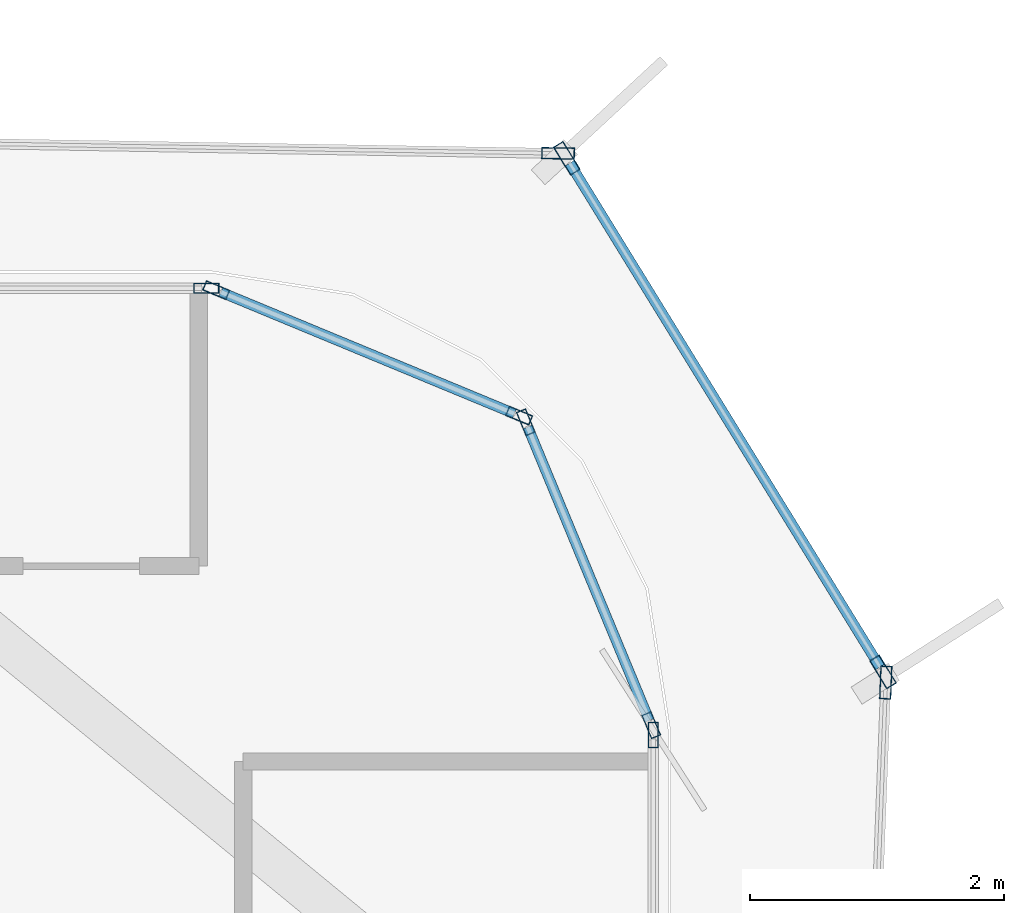
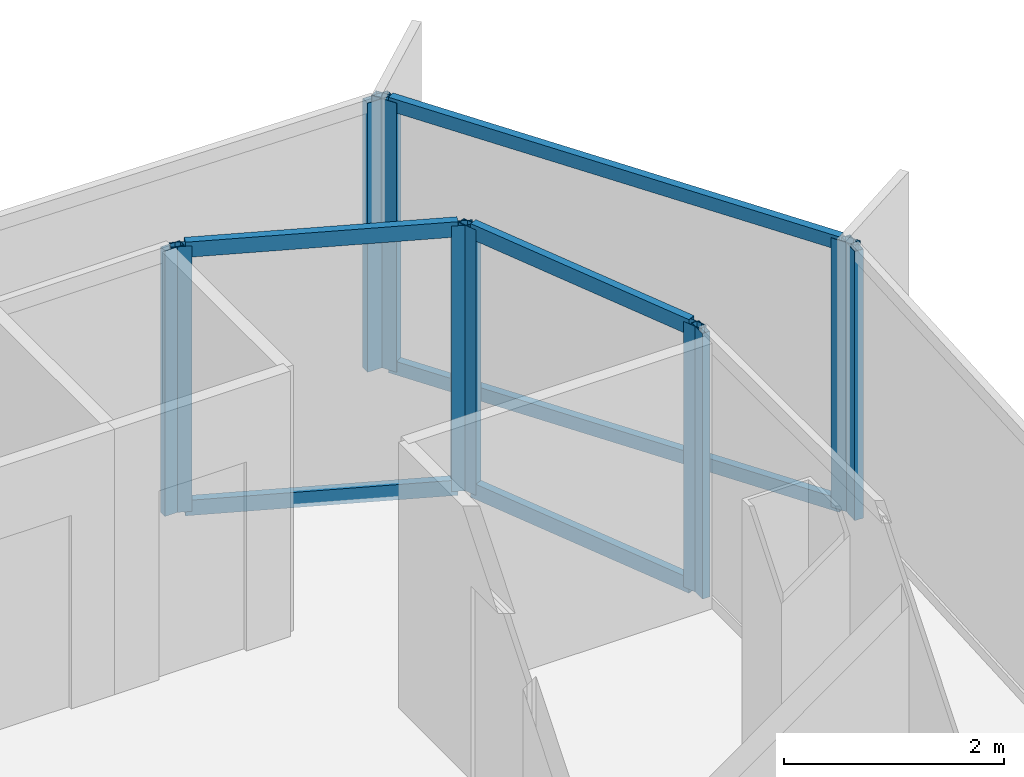
# One storey, part 8 of 15: 16 members, 7 elements without a shape of their own.
"""IFC4 building model written with IfcOpenShell, lengths in metres."""

import ifcopenshell
import ifcopenshell.guid

model = None  # the IFC model being written
_history = None  # IfcOwnerHistory: only IFC2X3 demands one
_inside = {}  # id of a spatial element -> (the spatial element, [elements in it])
_under = {}  # id of a project, library or spatial element -> (it, [spatial elements below it])
_declared = {}  # id of a project -> (the project, [libraries it declares])
_typed = {}  # id of a type object -> (the type object, [elements of that type])
_made_of = {}  # id of a material, layer set ... -> (it, [elements and type objects made of it])


def new_model(schema):
    """Start an empty IFC model of exactly this schema.

    Asked for "IFC4X3", IfcOpenShell would pick the latest addendum, in which some entities
    have other attributes; the version numbers below select the first issue.
    IFC2X3 requires an IfcOwnerHistory on every rooted entity: one is made here for all.
    """
    global model, _history
    if schema == "IFC4X3":
        model = ifcopenshell.file(schema_version=(4, 3, 0, 0))
    else:
        model = ifcopenshell.file(schema=schema)
    _inside.clear()
    _under.clear()
    _declared.clear()
    _typed.clear()
    _made_of.clear()
    _history = None
    if model.schema == "IFC2X3":
        org = make("IfcOrganization", Name="unknown")
        user = make(
            "IfcPersonAndOrganization",
            ThePerson=make("IfcPerson", FamilyName="unknown"),
            TheOrganization=org,
        )
        app = make(
            "IfcApplication",
            ApplicationDeveloper=org,
            Version="unknown",
            ApplicationFullName="unknown",
            ApplicationIdentifier="unknown",
        )
        _history = make(
            "IfcOwnerHistory",
            OwningUser=user,
            OwningApplication=app,
            ChangeAction="ADDED",
            CreationDate=0,
        )
    return model


def make(cls, **values):
    """One entity of the class cls with the attributes given. An attribute that is None is left unset."""
    return model.create_entity(
        cls, **{name: value for name, value in values.items() if value is not None}
    )


def rooted(cls, **values):
    """An entity with a GlobalId (a new one), such as an element, a storey or a relation."""
    return make(cls, GlobalId=ifcopenshell.guid.new(), OwnerHistory=_history, **values)


def si_unit(unit_type, name, prefix=None):
    """IfcSIUnit, for example si_unit("LENGTHUNIT", "METRE", prefix="MILLI")."""
    return make("IfcSIUnit", UnitType=unit_type, Prefix=prefix, Name=name)


def assignment(units):
    """IfcUnitAssignment: the units of a project."""
    return None if units is None else make("IfcUnitAssignment", Units=units)


def point(xyz):
    """IfcCartesianPoint."""
    return None if xyz is None else make("IfcCartesianPoint", Coordinates=xyz)


def direction(xyz):
    """IfcDirection."""
    return None if xyz is None else make("IfcDirection", DirectionRatios=xyz)


def frame(location, z_axis=None, x_axis=None):
    """IfcAxis2Placement3D, a coordinate frame: its origin and axes. An axis left out is left unset."""
    return make(
        "IfcAxis2Placement3D",
        Location=point(location),
        Axis=direction(z_axis),
        RefDirection=direction(x_axis),
    )


def frame_2d(location, x_axis=None):
    """IfcAxis2Placement2D, a coordinate frame in the plane: its origin and x axis."""
    return make(
        "IfcAxis2Placement2D", Location=point(location), RefDirection=direction(x_axis)
    )


def origin():
    """The frame at (0, 0, 0) with its axes left unset."""
    return frame((0.0, 0.0, 0.0))


def origin_2d():
    """The frame at (0, 0) in the plane with its x axis left unset."""
    return frame_2d((0.0, 0.0))


def place(relative_to, where):
    """IfcLocalPlacement: puts the frame where relative to a parent placement (None: the world)."""
    return make(
        "IfcLocalPlacement", PlacementRelTo=relative_to, RelativePlacement=where
    )


def context(
    kind, dimensions, precision=None, world=None, true_north=None, identifier=None
):
    """IfcGeometricRepresentationContext, for example the 3D "Model" context."""
    return make(
        "IfcGeometricRepresentationContext",
        ContextIdentifier=identifier,
        ContextType=kind,
        CoordinateSpaceDimension=dimensions,
        Precision=precision,
        WorldCoordinateSystem=world,
        TrueNorth=true_north,
    )


def subcontext(parent, identifier, kind, view, scale=None):
    """IfcGeometricRepresentationSubContext, for example "Body" below "Model"."""
    return make(
        "IfcGeometricRepresentationSubContext",
        ContextIdentifier=identifier,
        ContextType=kind,
        ParentContext=parent,
        TargetScale=scale,
        TargetView=view,
    )


def project(units=None, contexts=None):
    """IfcProject with its units and contexts."""
    return rooted(
        "IfcProject",
        Name="project",
        RepresentationContexts=contexts,
        UnitsInContext=assignment(units),
    )


def spatial(cls, under=None, at=None, **own):
    """A site, building, storey or space (cls), placed at a placement, below another one or the project."""
    s = rooted(cls, ObjectPlacement=at, **own)
    if under is not None:
        _under.setdefault(under.id(), (under, []))[1].append(s)
    return s


def profile(cls, at=None, kind="AREA", **sizes):
    """A parametric profile (cls). Its sizes go by their IFC names, for example OverallWidth=200.0."""
    return make(cls, ProfileType=kind, Position=at, **sizes)


def hollow_rectangle(**sizes):
    """IfcRectangleHollowProfileDef."""
    return profile("IfcRectangleHollowProfileDef", **sizes)


def extrude(swept, where, along, depth):
    """IfcExtrudedAreaSolid: the profile swept, set in the frame where, extruded along a direction by depth."""
    return make(
        "IfcExtrudedAreaSolid",
        SweptArea=swept,
        Position=where,
        ExtrudedDirection=direction(along),
        Depth=depth,
    )


def shape(context_of_items, identifier, shape_type, items):
    """IfcShapeRepresentation: the items that make up one representation, for example the "Body"."""
    return make(
        "IfcShapeRepresentation",
        ContextOfItems=context_of_items,
        RepresentationIdentifier=identifier,
        RepresentationType=shape_type,
        Items=items,
    )


def source(mapping_origin, context_of_items, identifier, shape_type, items):
    """IfcRepresentationMap: a shape defined once, which mapped items show again and again."""
    return make(
        "IfcRepresentationMap",
        MappingOrigin=mapping_origin,
        MappedRepresentation=shape(context_of_items, identifier, shape_type, items),
    )


def transform(
    local_origin,
    x_axis=None,
    y_axis=None,
    z_axis=None,
    scale=None,
    scale2=None,
    scale3=None,
    uniform=True,
):
    """IfcCartesianTransformationOperator3D, or its non-uniform kind. x_axis, y_axis, z_axis: its Axis1, 2, 3."""
    if uniform:
        return make(
            "IfcCartesianTransformationOperator3D",
            Axis1=direction(x_axis),
            Axis2=direction(y_axis),
            LocalOrigin=point(local_origin),
            Scale=scale,
            Axis3=direction(z_axis),
        )
    return make(
        "IfcCartesianTransformationOperator3DnonUniform",
        Axis1=direction(x_axis),
        Axis2=direction(y_axis),
        LocalOrigin=point(local_origin),
        Scale=scale,
        Axis3=direction(z_axis),
        Scale2=scale2,
        Scale3=scale3,
    )


def mapped(mapping_source, mapping_target):
    """IfcMappedItem: shows the shape of a source again, moved by a transform."""
    return make(
        "IfcMappedItem", MappingSource=mapping_source, MappingTarget=mapping_target
    )


def material(Name=None, Category=None):
    """IfcMaterial."""
    return make("IfcMaterial", Name=Name, Category=Category)


def layer(
    of_material, thickness, ventilated=None, Name=None, Category=None, Priority=None
):
    """IfcMaterialLayer: one layer of a wall or slab, of a material (None: an air gap)."""
    return make(
        "IfcMaterialLayer",
        Material=of_material,
        LayerThickness=thickness,
        IsVentilated=ventilated,
        Name=Name,
        Category=Category,
        Priority=Priority,
    )


def layer_set(layers, Name=None):
    """IfcMaterialLayerSet."""
    return make("IfcMaterialLayerSet", MaterialLayers=layers, LayerSetName=Name)


def material_profile(
    of_material, cross_section, Name=None, Category=None, Priority=None
):
    """IfcMaterialProfile: a cross section and its material."""
    return make(
        "IfcMaterialProfile",
        Name=Name,
        Material=of_material,
        Profile=cross_section,
        Priority=Priority,
        Category=Category,
    )


def profile_set(profiles, Name=None, composite=None):
    """IfcMaterialProfileSet."""
    return make(
        "IfcMaterialProfileSet",
        Name=Name,
        MaterialProfiles=profiles,
        CompositeProfile=composite,
    )


def made_of(thing, what):
    """Note that an element or type object is made of a material, layer set ...; save() writes the relation."""
    if what is not None:
        _made_of.setdefault(what.id(), (what, []))[1].append(thing)
    return thing


def type_object(cls, material=None, **own):
    """A type object (cls), such as IfcWallType, which elements share."""
    return made_of(rooted(cls, **own), material)


def element(
    cls,
    number,
    at=None,
    inside=None,
    cuts=None,
    type_object=None,
    material=None,
    context=None,
    identifier="Body",
    shape_type=None,
    held_by="IfcProductDefinitionShape",
    body=None,
    shapes=None,
    **own,
):
    """One element of the class cls, such as IfcWall. Its Tag is "e" and its number.

    at: its placement. inside: the storey or other place that contains it. cuts: it is an
    opening in that element (IfcRelVoidsElement). A single representation is given by context,
    identifier, shape_type and body (its items); several are given by shapes. held_by: the class
    of the entity that holds the representations. save() writes the other relations.
    """
    e = rooted(cls, Tag="e%d" % number, ObjectPlacement=at, **own)
    if body is not None:
        shapes = [shape(context, identifier, shape_type, body)]
    if shapes is not None:
        e.Representation = make(held_by, Representations=shapes)
    if inside is not None:
        _inside.setdefault(inside.id(), (inside, []))[1].append(e)
    if cuts is not None:
        rooted(
            "IfcRelVoidsElement", RelatingBuildingElement=cuts, RelatedOpeningElement=e
        )
    if type_object is not None:
        _typed.setdefault(type_object.id(), (type_object, []))[1].append(e)
    return made_of(e, material)


def aggregate(whole, parts):
    """IfcRelAggregates: a whole, such as a stair, and the parts it consists of."""
    return rooted("IfcRelAggregates", RelatingObject=whole, RelatedObjects=parts)


def save(model, path):
    """Write the relations noted so far, then the file.

    IfcRelAggregates (storeys below a building ...), IfcRelContainedInSpatialStructure (elements
    in a storey), IfcRelDefinesByType, IfcRelAssociatesMaterial and IfcRelDeclares: one each for
    every whole, place, type object, material and project.
    """
    for whole, parts in _under.values():
        aggregate(whole, parts)
    for where, things in _inside.values():
        rooted(
            "IfcRelContainedInSpatialStructure",
            RelatedElements=things,
            RelatingStructure=where,
        )
    for kind, things in _typed.values():
        rooted("IfcRelDefinesByType", RelatedObjects=things, RelatingType=kind)
    for what, things in _made_of.values():
        rooted("IfcRelAssociatesMaterial", RelatedObjects=things, RelatingMaterial=what)
    for by, libraries in _declared.values():
        rooted("IfcRelDeclares", RelatingContext=by, RelatedDefinitions=libraries)
    model.write(path)


model = new_model("IFC4")

# Units and contexts
model_context = context("Model", 3, precision=1e-05, world=origin(), true_north=direction((0.0, 1.0)))
body_context = subcontext(model_context, "Body", "Model", "MODEL_VIEW")
ifc_project = project(units=[si_unit("LENGTHUNIT", "METRE"), si_unit("AREAUNIT", "SQUARE_METRE"), si_unit("VOLUMEUNIT", "CUBIC_METRE"), si_unit("PLANEANGLEUNIT", "RADIAN"), si_unit("MASSUNIT", "GRAM", prefix="KILO")], contexts=[model_context])

# Site, building, storey
site_placement = place(None, origin())
site = spatial("IfcSite", under=ifc_project, at=site_placement, CompositionType="ELEMENT")
building_placement = place(site_placement, origin())
building = spatial("IfcBuilding", under=site, at=building_placement, Name="Kolveth Station Tower", CompositionType="ELEMENT")
storey_placement = place(building_placement, frame((0.0, 0.0, 172.10009765625)))
storey = spatial("IfcBuildingStorey", under=building, at=storey_placement, Name="L48", CompositionType="ELEMENT", Elevation=172.10009765625)

# Curtain wall, member
ifc_material_1 = material(Name="Aluminium 6063-T6 and low-E dark glass", Category="aluminium")
ifc_layer_1 = layer(ifc_material_1, 0.18994140625)
ifc_layer_set_1 = layer_set([ifc_layer_1], Name="Aluminium 6063-T6 and low-E dark glass")
curtain_wall_type_1 = type_object("IfcCurtainWallType", Name="CurtainWall_CW-Z2", PredefinedType="NOTDEFINED", material=ifc_layer_set_1)
curtain_wall_1_placement = place(storey_placement, origin())
curtain_wall_1 = element("IfcCurtainWall", 1, at=curtain_wall_1_placement, inside=storey, type_object=curtain_wall_type_1, Name="L48 Inner Thermal Curtain Wall 3", PredefinedType="NOTDEFINED")
ifc_material_2 = material(Name="Black anodized aluminium 6063-T6", Category="aluminium")
ifc_material_profile_1 = material_profile(ifc_material_2, hollow_rectangle(XDim=0.080078125, YDim=0.199951171875, WallThickness=0.0048828125, at=origin_2d()), Name="ALU-80x200x5")
ifc_profile_set_1 = profile_set([ifc_material_profile_1], Name="Black anodized aluminium 6063-T6")
member_type_1 = type_object("IfcMemberType", Name="Mullion_ML2", PredefinedType="MULLION", material=ifc_profile_set_1)
shared_shape_1 = source(origin(), body_context, "Body", "SweptSolid", [
    extrude(hollow_rectangle(XDim=0.080078125, YDim=0.199951171875, WallThickness=0.0048828125, at=origin_2d()), origin(), (0.0, 0.0, 1.0), 2.949951171875),
])
member_1_placement = place(storey_placement, frame((41.679931640625, 31.659912109375, 0.0), z_axis=(0.0, 0.0, 1.0), x_axis=(-1.0, 0.0, 0.0)))
member_1 = element("IfcMember", 2, at=member_1_placement, type_object=member_type_1, Name="CW-Z2 mullion 2", PredefinedType="MULLION", context=body_context, shape_type="MappedRepresentation", body=[
    mapped(shared_shape_1, transform((0.0, 0.0, 0.0), x_axis=(1.0, 0.0, 0.0), y_axis=(0.0, 1.0, 0.0), z_axis=(0.0, 0.0, 1.0), scale=1.0)),
])
aggregate(curtain_wall_1, [member_1])

# Curtain wall, members
curtain_wall_2_placement = place(storey_placement, origin())
curtain_wall_2 = element("IfcCurtainWall", 3, at=curtain_wall_2_placement, inside=storey, type_object=curtain_wall_type_1, Name="L48 Inner Thermal Curtain Wall 4", PredefinedType="NOTDEFINED")
member_2_placement = place(storey_placement, frame((41.664794921875, 31.737060546875, 0.0), z_axis=(0.0, 0.0, 1.0), x_axis=(-0.923873600544, -0.382697753087, 0.0)))
member_2 = element("IfcMember", 4, at=member_2_placement, type_object=member_type_1, Name="CW-Z2 mullion 1", PredefinedType="MULLION", context=body_context, shape_type="MappedRepresentation", body=[
    mapped(shared_shape_1, transform((0.0, 0.0, 0.0), x_axis=(1.0, 0.0, 0.0), y_axis=(0.0, 1.0, 0.0), z_axis=(0.0, 0.0, 1.0), scale=1.0)),
])
member_3_placement = place(storey_placement, frame((40.676025390625, 34.123779296875, 0.0), z_axis=(0.0, 0.0, 1.0), x_axis=(-0.923873600544, -0.382697753087, 0.0)))
member_3 = element("IfcMember", 5, at=member_3_placement, type_object=member_type_1, Name="CW-Z2 mullion 2", PredefinedType="MULLION", context=body_context, shape_type="MappedRepresentation", body=[
    mapped(shared_shape_1, transform((0.0, 0.0, 0.0), x_axis=(1.0, 0.0, 0.0), y_axis=(0.0, 1.0, 0.0), z_axis=(0.0, 0.0, 1.0), scale=1.0)),
])

curtain_wall_3_placement = place(storey_placement, origin())
curtain_wall_3 = element("IfcCurtainWall", 6, at=curtain_wall_3_placement, inside=storey, type_object=curtain_wall_type_1, Name="L48 Inner Thermal Curtain Wall 5", PredefinedType="NOTDEFINED")
member_4_placement = place(storey_placement, frame((40.623779296875, 34.176025390625, 0.0), z_axis=(0.0, 0.0, 1.0), x_axis=(-0.382697753087, -0.923873600544, 0.0)))
member_4 = element("IfcMember", 7, at=member_4_placement, type_object=member_type_1, Name="CW-Z2 mullion 1", PredefinedType="MULLION", context=body_context, shape_type="MappedRepresentation", body=[
    mapped(shared_shape_1, transform((0.0, 0.0, 0.0), x_axis=(1.0, 0.0, 0.0), y_axis=(0.0, 1.0, 0.0), z_axis=(0.0, 0.0, 1.0), scale=1.0)),
])
member_5_placement = place(storey_placement, frame((38.237060546875, 35.164794921875, 0.0), z_axis=(0.0, 0.0, 1.0), x_axis=(-0.382697753087, -0.923873600544, 0.0)))
member_5 = element("IfcMember", 8, at=member_5_placement, type_object=member_type_1, Name="CW-Z2 mullion 2", PredefinedType="MULLION", context=body_context, shape_type="MappedRepresentation", body=[
    mapped(shared_shape_1, transform((0.0, 0.0, 0.0), x_axis=(1.0, 0.0, 0.0), y_axis=(0.0, 1.0, 0.0), z_axis=(0.0, 0.0, 1.0), scale=1.0)),
])

# Curtain wall, member
curtain_wall_4_placement = place(storey_placement, origin())
curtain_wall_4 = element("IfcCurtainWall", 9, at=curtain_wall_4_placement, inside=storey, type_object=curtain_wall_type_1, Name="L48 Inner Thermal Curtain Wall 6", PredefinedType="NOTDEFINED")
member_6_placement = place(storey_placement, frame((38.159912109375, 35.179931640625, 0.0), z_axis=(0.0, 0.0, 1.0), x_axis=(0.0, -1.0, 0.0)))
member_6 = element("IfcMember", 10, at=member_6_placement, type_object=member_type_1, Name="CW-Z2 mullion 1", PredefinedType="MULLION", context=body_context, shape_type="MappedRepresentation", body=[
    mapped(shared_shape_1, transform((0.0, 0.0, 0.0), x_axis=(1.0, 0.0, 0.0), y_axis=(0.0, 1.0, 0.0), z_axis=(0.0, 0.0, 1.0), scale=1.0)),
])
aggregate(curtain_wall_4, [member_6])

ifc_material_3 = material(Name="Black anodized aluminium 6063-T6 and dark solar glass", Category="aluminium")
ifc_layer_2 = layer(ifc_material_3, 0.159912109375)
ifc_layer_set_2 = layer_set([ifc_layer_2], Name="Black anodized aluminium 6063-T6 and dark solar glass")
curtain_wall_type_2 = type_object("IfcCurtainWallType", Name="OUTER SKIN CW-OS", PredefinedType="NOTDEFINED", material=ifc_layer_set_2)
curtain_wall_5_placement = place(storey_placement, origin())
curtain_wall_5 = element("IfcCurtainWall", 11, at=curtain_wall_5_placement, inside=storey, type_object=curtain_wall_type_2, Name="L48 Outer Ventilated Skin Curtain Wall 2", PredefinedType="NOTDEFINED")
ifc_material_profile_2 = material_profile(ifc_material_2, hollow_rectangle(XDim=0.090087890625, YDim=0.260009765625, WallThickness=0.0048828125, at=origin_2d()), Name="ALU-90x260x5")
ifc_profile_set_2 = profile_set([ifc_material_profile_2], Name="Black anodized aluminium 6063-T6")
member_type_2 = type_object("IfcMemberType", Name="FIN MULLION ML-OS", PredefinedType="MULLION", material=ifc_profile_set_2)
shared_shape_2 = source(origin(), body_context, "Body", "SweptSolid", [
    extrude(hollow_rectangle(XDim=0.090087890625, YDim=0.260009765625, WallThickness=0.0048828125, at=origin_2d()), origin(), (0.0, 0.0, 1.0), 2.989990234375),
])
member_7_placement = place(storey_placement, frame((43.512451171875, 32.0732421875, 0.0), z_axis=(0.0, 0.0, 1.0), x_axis=(-0.999266559866, 0.038292849638, 0.0)))
member_7 = element("IfcMember", 12, at=member_7_placement, type_object=member_type_2, Name="CW-OS mullion 2", PredefinedType="MULLION", context=body_context, shape_type="MappedRepresentation", body=[
    mapped(shared_shape_2, transform((0.0, 0.0, 0.0), x_axis=(1.0, 0.0, 0.0), y_axis=(0.0, 1.0, 0.0), z_axis=(0.0, 0.0, 1.0), scale=1.0)),
])
aggregate(curtain_wall_5, [member_7])

# Curtain wall, members
curtain_wall_6_placement = place(storey_placement, origin())
curtain_wall_6 = element("IfcCurtainWall", 13, at=curtain_wall_6_placement, inside=storey, type_object=curtain_wall_type_2, Name="L48 Outer Ventilated Skin Curtain Wall 3", PredefinedType="NOTDEFINED")
member_8_placement = place(storey_placement, frame((43.49072265625, 32.15673828125, 0.0), z_axis=(0.0, 0.0, 1.0), x_axis=(-0.851537745343, -0.524293303653, 0.0)))
member_8 = element("IfcMember", 14, at=member_8_placement, type_object=member_type_2, Name="CW-OS mullion 1", PredefinedType="MULLION", context=body_context, shape_type="MappedRepresentation", body=[
    mapped(shared_shape_2, transform((0.0, 0.0, 0.0), x_axis=(1.0, 0.0, 0.0), y_axis=(0.0, 1.0, 0.0), z_axis=(0.0, 0.0, 1.0), scale=1.0)),
])
member_9_placement = place(storey_placement, frame((40.999267578125, 36.203125, 0.0), z_axis=(0.0, 0.0, 1.0), x_axis=(-0.851537745343, -0.524293303653, 0.0)))
member_9 = element("IfcMember", 15, at=member_9_placement, type_object=member_type_2, Name="CW-OS mullion 2", PredefinedType="MULLION", context=body_context, shape_type="MappedRepresentation", body=[
    mapped(shared_shape_2, transform((0.0, 0.0, 0.0), x_axis=(1.0, 0.0, 0.0), y_axis=(0.0, 1.0, 0.0), z_axis=(0.0, 0.0, 1.0), scale=1.0)),
])

# Curtain wall, member
curtain_wall_7_placement = place(storey_placement, origin())
curtain_wall_7 = element("IfcCurtainWall", 16, at=curtain_wall_7_placement, inside=storey, type_object=curtain_wall_type_2, Name="L48 Outer Ventilated Skin Curtain Wall 4", PredefinedType="NOTDEFINED")
member_10_placement = place(storey_placement, frame((40.9306640625, 36.2421875, 0.0), z_axis=(0.0, 0.0, 1.0), x_axis=(-0.016800332197, -0.999858864459, 0.0)))
member_10 = element("IfcMember", 17, at=member_10_placement, type_object=member_type_2, Name="CW-OS mullion 1", PredefinedType="MULLION", context=body_context, shape_type="MappedRepresentation", body=[
    mapped(shared_shape_2, transform((0.0, 0.0, 0.0), x_axis=(1.0, 0.0, 0.0), y_axis=(0.0, 1.0, 0.0), z_axis=(0.0, 0.0, 1.0), scale=1.0)),
])
aggregate(curtain_wall_7, [member_10])

# Member
ifc_material_profile_3 = material_profile(ifc_material_2, hollow_rectangle(XDim=0.080078125, YDim=0.169921875, WallThickness=0.0048828125, at=origin_2d()), Name="ALU-80x170x5")
ifc_profile_set_3 = profile_set([ifc_material_profile_3], Name="Black anodized aluminium 6063-T6")
member_type_3 = type_object("IfcMemberType", Name="Transom_TR2", PredefinedType="USERDEFINED", material=ifc_profile_set_3)
shared_shape_3 = source(origin(), body_context, "Body", "SweptSolid", [
    extrude(hollow_rectangle(XDim=0.080078125, YDim=0.169921875, WallThickness=0.0048828125, at=origin_2d()), origin(), (0.0, 0.0, 1.0), 2.50341796875),
])
member_11_placement = place(storey_placement, frame((41.6494140625, 31.77392578125, 0.039794921875), z_axis=(-0.382696328882, 0.923874190494, 0.0), x_axis=(-0.923874190494, -0.382696328882, 0.0)))
member_11 = element("IfcMember", 18, at=member_11_placement, type_object=member_type_3, Name="CW-Z2 transom 1.1", ObjectType="TRANSOM", PredefinedType="USERDEFINED", context=body_context, shape_type="MappedRepresentation", body=[
    mapped(shared_shape_3, transform((0.0, 0.0, 0.0), x_axis=(1.0, 0.0, 0.0), y_axis=(0.0, 1.0, 0.0), z_axis=(0.0, 0.0, 1.0), scale=1.0)),
])

member_12_placement = place(storey_placement, frame((41.6494140625, 31.77392578125, 2.909912109375), z_axis=(-0.382696328882, 0.923874190494, 0.0), x_axis=(-0.923874190494, -0.382696328882, 0.0)))
member_12 = element("IfcMember", 19, at=member_12_placement, type_object=member_type_3, Name="CW-Z2 transom 1.2", ObjectType="TRANSOM", PredefinedType="USERDEFINED", context=body_context, shape_type="MappedRepresentation", body=[
    mapped(shared_shape_3, transform((0.0, 0.0, 0.0), x_axis=(1.0, 0.0, 0.0), y_axis=(0.0, 1.0, 0.0), z_axis=(0.0, 0.0, 1.0), scale=1.0)),
])

aggregate(curtain_wall_2, [member_2, member_3, member_11, member_12])

member_13_placement = place(storey_placement, frame((40.586669921875, 34.19140625, 0.039794921875), z_axis=(-0.923874190494, 0.382696328882, 0.0), x_axis=(-0.382696328882, -0.923874190494, 0.0)))
member_13 = element("IfcMember", 20, at=member_13_placement, type_object=member_type_3, Name="CW-Z2 transom 1.1", ObjectType="TRANSOM", PredefinedType="USERDEFINED", context=body_context, shape_type="MappedRepresentation", body=[
    mapped(shared_shape_3, transform((0.0, 0.0, 0.0), x_axis=(1.0, 0.0, 0.0), y_axis=(0.0, 1.0, 0.0), z_axis=(0.0, 0.0, 1.0), scale=1.0)),
])

member_14_placement = place(storey_placement, frame((40.586669921875, 34.19140625, 2.909912109375), z_axis=(-0.923874190494, 0.382696328882, 0.0), x_axis=(-0.382696328882, -0.923874190494, 0.0)))
member_14 = element("IfcMember", 21, at=member_14_placement, type_object=member_type_3, Name="CW-Z2 transom 1.2", ObjectType="TRANSOM", PredefinedType="USERDEFINED", context=body_context, shape_type="MappedRepresentation", body=[
    mapped(shared_shape_3, transform((0.0, 0.0, 0.0), x_axis=(1.0, 0.0, 0.0), y_axis=(0.0, 1.0, 0.0), z_axis=(0.0, 0.0, 1.0), scale=1.0)),
])

aggregate(curtain_wall_3, [member_4, member_5, member_13, member_14])

ifc_material_profile_4 = material_profile(ifc_material_2, hollow_rectangle(XDim=0.080078125, YDim=0.14990234375, WallThickness=0.0048828125, at=origin_2d()), Name="ALU-80x150x5")
ifc_profile_set_4 = profile_set([ifc_material_profile_4], Name="Black anodized aluminium 6063-T6")
member_type_4 = type_object("IfcMemberType", Name="Transom_TR-OS", PredefinedType="USERDEFINED", material=ifc_profile_set_4)
shared_shape_4 = source(origin(), body_context, "Body", "SweptSolid", [
    extrude(hollow_rectangle(XDim=0.080078125, YDim=0.14990234375, WallThickness=0.0048828125, at=origin_2d()), origin(), (0.0, 0.0, 1.0), 4.662109375),
])
member_15_placement = place(storey_placement, frame((43.467041015625, 32.19482421875, 0.039794921875), z_axis=(-0.524296090475, 0.851536029486, 0.0), x_axis=(-0.851536029486, -0.524296090475, 0.0)))
member_15 = element("IfcMember", 22, at=member_15_placement, type_object=member_type_4, Name="CW-OS transom 1.1", ObjectType="TRANSOM", PredefinedType="USERDEFINED", context=body_context, shape_type="MappedRepresentation", body=[
    mapped(shared_shape_4, transform((0.0, 0.0, 0.0), x_axis=(1.0, 0.0, 0.0), y_axis=(0.0, 1.0, 0.0), z_axis=(0.0, 0.0, 1.0), scale=1.0)),
])

member_16_placement = place(storey_placement, frame((43.467041015625, 32.19482421875, 2.949951171875), z_axis=(-0.524296090475, 0.851536029486, 0.0), x_axis=(-0.851536029486, -0.524296090475, 0.0)))
member_16 = element("IfcMember", 23, at=member_16_placement, type_object=member_type_4, Name="CW-OS transom 1.2", ObjectType="TRANSOM", PredefinedType="USERDEFINED", context=body_context, shape_type="MappedRepresentation", body=[
    mapped(shared_shape_4, transform((0.0, 0.0, 0.0), x_axis=(1.0, 0.0, 0.0), y_axis=(0.0, 1.0, 0.0), z_axis=(0.0, 0.0, 1.0), scale=1.0)),
])

aggregate(curtain_wall_6, [member_8, member_9, member_15, member_16])

save(model, "model.ifc")
